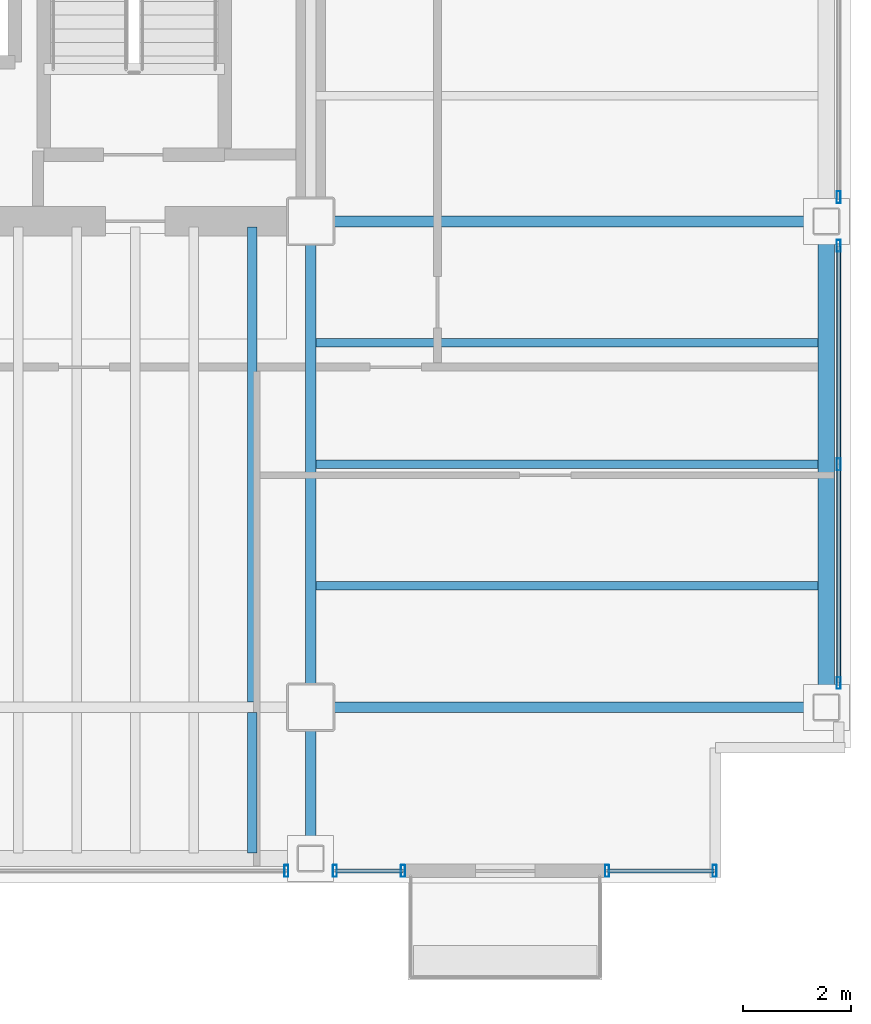
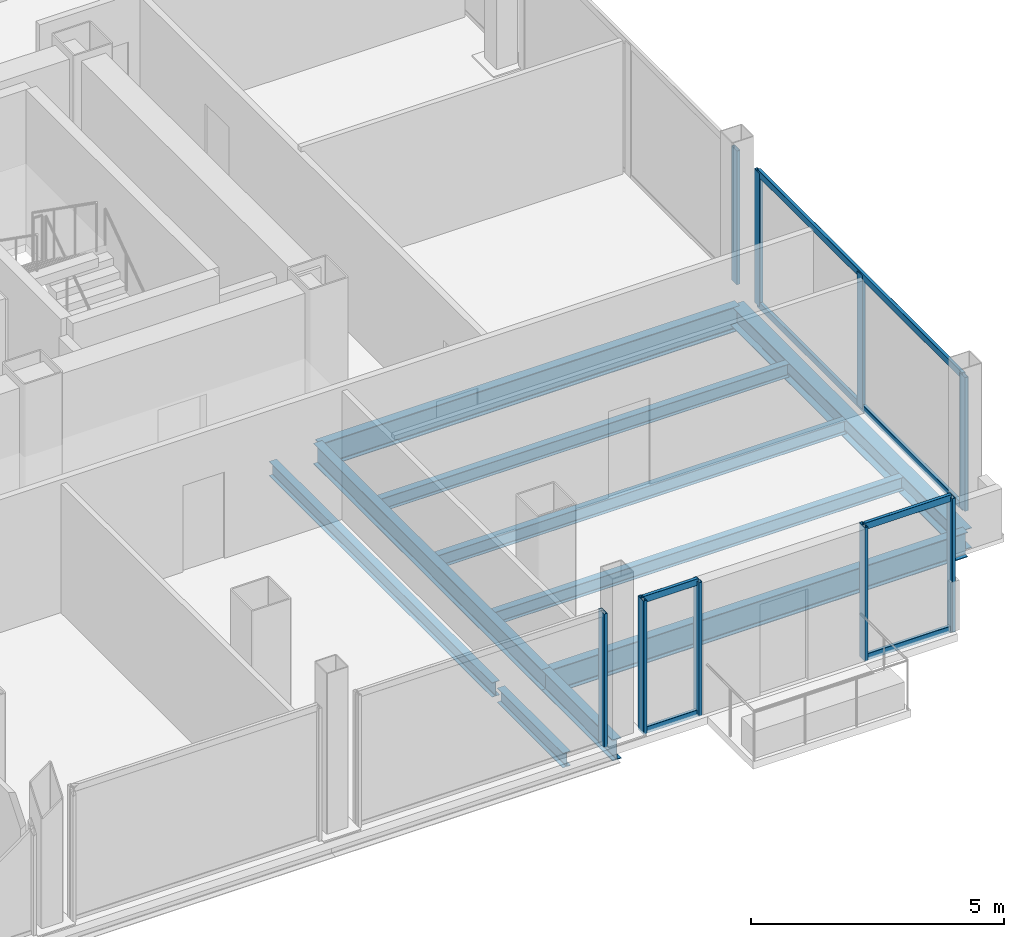
# One storey, part 10 of 16: 15 members, 10 beams, 5 elements without a shape of their own.
"""IFC4 building model written with IfcOpenShell, lengths in metres."""

from ifc_helpers import new_model, si_unit, direction, frame, origin, origin_2d, place, context, subcontext, project, spatial, hollow_rectangle, i_section, extrude, material, material_profile, profile_set, type_object, element, aggregate, save


model = new_model("IFC4")

# Units and contexts
model_context = context("Model", 3, precision=1e-05, world=origin(), true_north=direction((0.0, 1.0)))
body_context = subcontext(model_context, "Body", "Model", "MODEL_VIEW")
ifc_project = project(units=[si_unit("LENGTHUNIT", "METRE"), si_unit("AREAUNIT", "SQUARE_METRE"), si_unit("VOLUMEUNIT", "CUBIC_METRE"), si_unit("PLANEANGLEUNIT", "RADIAN"), si_unit("MASSUNIT", "GRAM", prefix="KILO")], contexts=[model_context])

# Site, building, storey
site_placement = place(None, origin())
site = spatial("IfcSite", under=ifc_project, at=site_placement, CompositionType="ELEMENT")
building_placement = place(site_placement, origin())
building = spatial("IfcBuilding", under=site, at=building_placement, Name="Noeulbin Bourse Tower", CompositionType="ELEMENT")
storey_placement = place(building_placement, frame((0.0, 0.0, 177.300048828125)))
storey = spatial("IfcBuildingStorey", under=building, at=storey_placement, Name="L44", CompositionType="ELEMENT", Elevation=177.300048828125)

# Beams
ifc_material_1 = material(Name="Steel S355", Category="steel")
ifc_material_profile_1 = material_profile(ifc_material_1, i_section(OverallWidth=0.199951171875, OverallDepth=0.5, WebThickness=0.010009765625, FlangeThickness=0.01611328125, FilletRadius=0.02001953125, at=origin_2d()), Name="H-500x200x10x16", Category="LoadBearing")
ifc_profile_set_1 = profile_set([ifc_material_profile_1], Name="Steel S355")
beam_type_1 = type_object("IfcBeamType", Name="BM-GRD-500", PredefinedType="USERDEFINED", material=ifc_profile_set_1)
beam_1_placement = place(storey_placement, frame((44.0, 17.199951171875, -0.429931640625), z_axis=(0.0, 1.0, 0.0), x_axis=(-1.0, 0.0, 0.0)))
element("IfcBeam", 1, at=beam_1_placement, inside=storey, type_object=beam_type_1, Name="Tower Primary Girder NS L44-5.1", ObjectType="GIRDER", PredefinedType="USERDEFINED", context=body_context, shape_type="SweptSolid", body=[
    extrude(i_section(OverallWidth=0.199951171875, OverallDepth=0.5, WebThickness=0.010009765625, FlangeThickness=0.01611328125, FilletRadius=0.02001953125, at=origin_2d()), origin(), (0.0, 0.0, 1.0), 2.800048828125),
])
beam_2_placement = place(storey_placement, frame((44.0, 20.0, -0.429931640625), z_axis=(0.0, 1.0, 0.0), x_axis=(-1.0, 0.0, 0.0)))
element("IfcBeam", 2, at=beam_2_placement, inside=storey, type_object=beam_type_1, Name="Tower Primary Girder NS L44-5.2", ObjectType="GIRDER", PredefinedType="USERDEFINED", context=body_context, shape_type="SweptSolid", body=[
    extrude(i_section(OverallWidth=0.199951171875, OverallDepth=0.5, WebThickness=0.010009765625, FlangeThickness=0.01611328125, FilletRadius=0.02001953125, at=origin_2d()), origin(), (0.0, 0.0, 1.0), 9.0),
])
ifc_material_profile_2 = material_profile(ifc_material_1, i_section(OverallWidth=0.199951171875, OverallDepth=0.60009765625, WebThickness=0.010986328125, FlangeThickness=0.01708984375, FilletRadius=0.02197265625, at=origin_2d()), Name="H-600x200x11x17", Category="LoadBearing")
ifc_profile_set_2 = profile_set([ifc_material_profile_2], Name="Steel S355")
beam_type_2 = type_object("IfcBeamType", Name="BM-GRD-600", PredefinedType="USERDEFINED", material=ifc_profile_set_2)
for number, where, z_axis, x_axis, name in (
    (3, (44.0, 20.0, -0.47998046875), (1.0, 0.0, 0.0), (0.0, 1.0, 0.0), "Tower Primary Girder EW L44-1.6"),
    (4, (44.0, 29.0, -0.47998046875), (1.0, 0.0, 0.0), (0.0, 1.0, 0.0), "Tower Primary Girder EW L44-2.6"),
):
    element("IfcBeam", number, at=place(storey_placement, frame(where, z_axis=z_axis, x_axis=x_axis)), inside=storey, type_object=beam_type_2, Name=name, ObjectType="GIRDER", PredefinedType="USERDEFINED", context=body_context, shape_type="SweptSolid", body=[
        extrude(i_section(OverallWidth=0.199951171875, OverallDepth=0.60009765625, WebThickness=0.010986328125, FlangeThickness=0.01708984375, FilletRadius=0.02197265625, at=origin_2d()), origin(), (0.0, 0.0, 1.0), 9.550048828125),
    ])
ifc_material_profile_3 = material_profile(ifc_material_1, i_section(OverallWidth=0.159912109375, OverallDepth=0.320068359375, WebThickness=0.006591796875, FlangeThickness=0.010009765625, FilletRadius=0.012939453125, at=origin_2d()), Name="H-320x160x6.5x10", Category="LoadBearing")
ifc_profile_set_3 = profile_set([ifc_material_profile_3], Name="Steel S355")
beam_type_3 = type_object("IfcBeamType", Name="BM-JST-320", PredefinedType="JOIST", material=ifc_profile_set_3)
for number, where, z_axis, x_axis, name in (
    (5, (44.10009765625, 22.25, -0.340087890625), (1.0, 0.0, 0.0), (0.0, 1.0, 0.0), "Wing Composite Joist L44-E73"),
    (6, (44.10009765625, 24.5, -0.340087890625), (1.0, 0.0, 0.0), (0.0, 1.0, 0.0), "Wing Composite Joist L44-E74"),
    (7, (44.10009765625, 26.75, -0.340087890625), (1.0, 0.0, 0.0), (0.0, 1.0, 0.0), "Wing Composite Joist L44-E75"),
):
    element("IfcBeam", number, at=place(storey_placement, frame(where, z_axis=z_axis, x_axis=x_axis)), inside=storey, type_object=beam_type_3, Name=name, PredefinedType="JOIST", context=body_context, shape_type="SweptSolid", body=[
        extrude(i_section(OverallWidth=0.159912109375, OverallDepth=0.320068359375, WebThickness=0.006591796875, FlangeThickness=0.010009765625, FilletRadius=0.012939453125, at=origin_2d()), origin(), (0.0, 0.0, 1.0), 9.2998046875),
    ])
ifc_material_profile_4 = material_profile(ifc_material_1, i_section(OverallWidth=0.175048828125, OverallDepth=0.35009765625, WebThickness=0.007080078125, FlangeThickness=0.010986328125, FilletRadius=0.013916015625, at=origin_2d()), Name="H-350x175x7x11", Category="LoadBearing")
ifc_profile_set_4 = profile_set([ifc_material_profile_4], Name="Steel S355")
beam_type_4 = type_object("IfcBeamType", Name="BM-JST-350", PredefinedType="JOIST", material=ifc_profile_set_4)
beam_3_placement = place(storey_placement, frame((42.916748046875, 17.300048828125, -0.35498046875), z_axis=(0.0, 1.0, 0.0), x_axis=(-1.0, 0.0, 0.0)))
element("IfcBeam", 8, at=beam_3_placement, inside=storey, type_object=beam_type_4, Name="Tower Composite Joist L44-64", PredefinedType="JOIST", context=body_context, shape_type="SweptSolid", body=[
    extrude(i_section(OverallWidth=0.175048828125, OverallDepth=0.35009765625, WebThickness=0.007080078125, FlangeThickness=0.010986328125, FilletRadius=0.013916015625, at=origin_2d()), origin(), (0.0, 0.0, 1.0), 2.599853515625),
])
beam_4_placement = place(storey_placement, frame((42.916748046875, 20.10009765625, -0.35498046875), z_axis=(0.0, 1.0, 0.0), x_axis=(-1.0, 0.0, 0.0)))
element("IfcBeam", 9, at=beam_4_placement, inside=storey, type_object=beam_type_4, Name="Tower Composite Joist L44-65", PredefinedType="JOIST", context=body_context, shape_type="SweptSolid", body=[
    extrude(i_section(OverallWidth=0.175048828125, OverallDepth=0.35009765625, WebThickness=0.007080078125, FlangeThickness=0.010986328125, FilletRadius=0.013916015625, at=origin_2d()), origin(), (0.0, 0.0, 1.0), 8.7998046875),
])
ifc_material_profile_5 = material_profile(ifc_material_1, i_section(OverallWidth=0.300048828125, OverallDepth=0.488037109375, WebThickness=0.010986328125, FlangeThickness=0.01806640625, FilletRadius=0.02197265625, at=origin_2d()), Name="H-488x300x11x18", Category="LoadBearing")
ifc_profile_set_5 = profile_set([ifc_material_profile_5], Name="Steel S355")
beam_type_5 = type_object("IfcBeamType", Name="BM-SPN-488", PredefinedType="SPANDREL", material=ifc_profile_set_5)
beam_5_placement = place(storey_placement, frame((53.550048828125, 20.0, -0.424072265625), z_axis=(0.0, 1.0, 0.0), x_axis=(-1.0, 0.0, 0.0)))
element("IfcBeam", 10, at=beam_5_placement, inside=storey, type_object=beam_type_5, Name="East Spandrel L44-1", PredefinedType="SPANDREL", context=body_context, shape_type="SweptSolid", body=[
    extrude(i_section(OverallWidth=0.300048828125, OverallDepth=0.488037109375, WebThickness=0.010986328125, FlangeThickness=0.01806640625, FilletRadius=0.02197265625, at=origin_2d()), origin(), (0.0, 0.0, 1.0), 9.0),
])

# Curtain wall, member
ifc_material_2 = material(Name="Dark Tinted Triple Glazing", Category="glass")
curtain_wall_type = type_object("IfcCurtainWallType", Name="CW-SYS-3", PredefinedType="NOTDEFINED", material=ifc_material_2)
curtain_wall_1_placement = place(storey_placement, origin())
curtain_wall_1 = element("IfcCurtainWall", 11, at=curtain_wall_1_placement, inside=storey, type_object=curtain_wall_type, Name="Unitised Curtain Wall CW-L44-S2-S3", PredefinedType="NOTDEFINED")
ifc_material_3 = material(Name="Anodised Aluminium 6063-T6", Category="aluminium")
ifc_material_profile_6 = material_profile(ifc_material_3, hollow_rectangle(XDim=0.074951171875, YDim=0.219970703125, WallThickness=0.0048828125, InnerFilletRadius=0.00244140625, OuterFilletRadius=0.0048828125, at=origin_2d()), Name="ALU-MULL-75x220x5", Category="LoadBearing")
ifc_profile_set_6 = profile_set([ifc_material_profile_6], Name="Anodised Aluminium 6063-T6")
member_type_1 = type_object("IfcMemberType", Name="CW-SYS-3-MUL", PredefinedType="MULLION", material=ifc_profile_set_6)
member_1_placement = place(storey_placement, frame((43.550048828125, 16.969970703125, -0.02001953125), z_axis=(0.0, 0.0, 1.0), x_axis=(1.0, 0.0, 0.0)))
member_1 = element("IfcMember", 12, at=member_1_placement, type_object=member_type_1, Name="Curtain Wall Mullion CW-L44-S2-S3-M01", PredefinedType="MULLION", context=body_context, shape_type="SweptSolid", body=[
    extrude(hollow_rectangle(XDim=0.074951171875, YDim=0.219970703125, WallThickness=0.0048828125, InnerFilletRadius=0.00244140625, OuterFilletRadius=0.0048828125, at=origin_2d()), origin(), (0.0, 0.0, 1.0), 3.219970703125),
])
aggregate(curtain_wall_1, [member_1])

# Curtain wall, members
curtain_wall_2_placement = place(storey_placement, origin())
curtain_wall_2 = element("IfcCurtainWall", 13, at=curtain_wall_2_placement, inside=storey, type_object=curtain_wall_type, Name="Unitised Curtain Wall CW-L44-S2-S4", PredefinedType="NOTDEFINED")
member_2_placement = place(storey_placement, frame((44.449951171875, 16.969970703125, -0.02001953125), z_axis=(0.0, 0.0, 1.0), x_axis=(1.0, 0.0, 0.0)))
member_2 = element("IfcMember", 14, at=member_2_placement, type_object=member_type_1, Name="Curtain Wall Mullion CW-L44-S2-S4-M00", PredefinedType="MULLION", context=body_context, shape_type="SweptSolid", body=[
    extrude(hollow_rectangle(XDim=0.074951171875, YDim=0.219970703125, WallThickness=0.0048828125, InnerFilletRadius=0.00244140625, OuterFilletRadius=0.0048828125, at=origin_2d()), origin(), (0.0, 0.0, 1.0), 3.219970703125),
])
member_3_placement = place(storey_placement, frame((45.7099609375, 16.969970703125, -0.02001953125), z_axis=(0.0, 0.0, 1.0), x_axis=(1.0, 0.0, 0.0)))
member_3 = element("IfcMember", 15, at=member_3_placement, type_object=member_type_1, Name="Curtain Wall Mullion CW-L44-S2-S4-M01", PredefinedType="MULLION", context=body_context, shape_type="SweptSolid", body=[
    extrude(hollow_rectangle(XDim=0.074951171875, YDim=0.219970703125, WallThickness=0.0048828125, InnerFilletRadius=0.00244140625, OuterFilletRadius=0.0048828125, at=origin_2d()), origin(), (0.0, 0.0, 1.0), 3.219970703125),
])

curtain_wall_3_placement = place(storey_placement, origin())
curtain_wall_3 = element("IfcCurtainWall", 16, at=curtain_wall_3_placement, inside=storey, type_object=curtain_wall_type, Name="Unitised Curtain Wall CW-L44-S3", PredefinedType="NOTDEFINED")
member_4_placement = place(storey_placement, frame((49.489990234375, 16.969970703125, -0.02001953125), z_axis=(0.0, 0.0, 1.0), x_axis=(1.0, 0.0, 0.0)))
member_4 = element("IfcMember", 17, at=member_4_placement, type_object=member_type_1, Name="Curtain Wall Mullion CW-L44-S3-M00", PredefinedType="MULLION", context=body_context, shape_type="SweptSolid", body=[
    extrude(hollow_rectangle(XDim=0.074951171875, YDim=0.219970703125, WallThickness=0.0048828125, InnerFilletRadius=0.00244140625, OuterFilletRadius=0.0048828125, at=origin_2d()), origin(), (0.0, 0.0, 1.0), 3.219970703125),
])
member_5_placement = place(storey_placement, frame((51.47998046875, 16.969970703125, -0.02001953125), z_axis=(0.0, 0.0, 1.0), x_axis=(1.0, 0.0, 0.0)))
member_5 = element("IfcMember", 18, at=member_5_placement, type_object=member_type_1, Name="Curtain Wall Mullion CW-L44-S3-M01", PredefinedType="MULLION", context=body_context, shape_type="SweptSolid", body=[
    extrude(hollow_rectangle(XDim=0.074951171875, YDim=0.219970703125, WallThickness=0.0048828125, InnerFilletRadius=0.00244140625, OuterFilletRadius=0.0048828125, at=origin_2d()), origin(), (0.0, 0.0, 1.0), 3.219970703125),
])

curtain_wall_4_placement = place(storey_placement, origin())
curtain_wall_4 = element("IfcCurtainWall", 19, at=curtain_wall_4_placement, inside=storey, type_object=curtain_wall_type, Name="Unitised Curtain Wall CW-L44-E-S1", PredefinedType="NOTDEFINED")
member_6_placement = place(storey_placement, frame((53.780029296875, 20.449951171875, -0.02001953125), z_axis=(0.0, 0.0, 1.0), x_axis=(1.0, 0.0, 0.0)))
member_6 = element("IfcMember", 20, at=member_6_placement, type_object=member_type_1, Name="Curtain Wall Mullion CW-L44-E-S1-M00", PredefinedType="MULLION", context=body_context, shape_type="SweptSolid", body=[
    extrude(hollow_rectangle(XDim=0.074951171875, YDim=0.219970703125, WallThickness=0.0048828125, InnerFilletRadius=0.00244140625, OuterFilletRadius=0.0048828125, at=origin_2d()), origin(), (0.0, 0.0, 1.0), 3.219970703125),
])
member_7_placement = place(storey_placement, frame((53.780029296875, 24.5, -0.02001953125), z_axis=(0.0, 0.0, 1.0), x_axis=(1.0, 0.0, 0.0)))
member_7 = element("IfcMember", 21, at=member_7_placement, type_object=member_type_1, Name="Curtain Wall Mullion CW-L44-E-S1-M01", PredefinedType="MULLION", context=body_context, shape_type="SweptSolid", body=[
    extrude(hollow_rectangle(XDim=0.074951171875, YDim=0.219970703125, WallThickness=0.0048828125, InnerFilletRadius=0.00244140625, OuterFilletRadius=0.0048828125, at=origin_2d()), origin(), (0.0, 0.0, 1.0), 3.219970703125),
])
member_8_placement = place(storey_placement, frame((53.780029296875, 28.550048828125, -0.02001953125), z_axis=(0.0, 0.0, 1.0), x_axis=(1.0, 0.0, 0.0)))
member_8 = element("IfcMember", 22, at=member_8_placement, type_object=member_type_1, Name="Curtain Wall Mullion CW-L44-E-S1-M02", PredefinedType="MULLION", context=body_context, shape_type="SweptSolid", body=[
    extrude(hollow_rectangle(XDim=0.074951171875, YDim=0.219970703125, WallThickness=0.0048828125, InnerFilletRadius=0.00244140625, OuterFilletRadius=0.0048828125, at=origin_2d()), origin(), (0.0, 0.0, 1.0), 3.219970703125),
])

# Curtain wall, member
curtain_wall_5_placement = place(storey_placement, origin())
curtain_wall_5 = element("IfcCurtainWall", 23, at=curtain_wall_5_placement, inside=storey, type_object=curtain_wall_type, Name="Unitised Curtain Wall CW-L44-E-S2", PredefinedType="NOTDEFINED")
member_9_placement = place(storey_placement, frame((53.780029296875, 29.449951171875, -0.02001953125), z_axis=(0.0, 0.0, 1.0), x_axis=(1.0, 0.0, 0.0)))
member_9 = element("IfcMember", 24, at=member_9_placement, type_object=member_type_1, Name="Curtain Wall Mullion CW-L44-E-S2-M00", PredefinedType="MULLION", context=body_context, shape_type="SweptSolid", body=[
    extrude(hollow_rectangle(XDim=0.074951171875, YDim=0.219970703125, WallThickness=0.0048828125, InnerFilletRadius=0.00244140625, OuterFilletRadius=0.0048828125, at=origin_2d()), origin(), (0.0, 0.0, 1.0), 3.219970703125),
])
aggregate(curtain_wall_5, [member_9])

# Member
ifc_material_profile_7 = material_profile(ifc_material_3, hollow_rectangle(XDim=0.074951171875, YDim=0.159912109375, WallThickness=0.0048828125, InnerFilletRadius=0.00244140625, OuterFilletRadius=0.0048828125, at=origin_2d()), Name="ALU-TRAN-75x160x5", Category="LoadBearing")
ifc_profile_set_7 = profile_set([ifc_material_profile_7], Name="Anodised Aluminium 6063-T6")
member_type_2 = type_object("IfcMemberType", Name="CW-SYS-3-TRN", PredefinedType="USERDEFINED", material=ifc_profile_set_7)
member_10_placement = place(storey_placement, frame((44.4599609375, 16.969970703125, 0.010009765625), z_axis=(1.0, 0.0, 0.0), x_axis=(0.0, 1.0, 0.0)))
member_10 = element("IfcMember", 25, at=member_10_placement, type_object=member_type_2, Name="Curtain Wall Transom CW-L44-S2-S4-T00", ObjectType="TRANSOM", PredefinedType="USERDEFINED", context=body_context, shape_type="SweptSolid", body=[
    extrude(hollow_rectangle(XDim=0.074951171875, YDim=0.159912109375, WallThickness=0.0048828125, InnerFilletRadius=0.00244140625, OuterFilletRadius=0.0048828125, at=origin_2d()), origin(), (0.0, 0.0, 1.0), 1.239990234375),
])

member_11_placement = place(storey_placement, frame((44.4599609375, 16.969970703125, 3.169921875), z_axis=(1.0, 0.0, 0.0), x_axis=(0.0, 1.0, 0.0)))
member_11 = element("IfcMember", 26, at=member_11_placement, type_object=member_type_2, Name="Curtain Wall Transom CW-L44-S2-S4-T01", ObjectType="TRANSOM", PredefinedType="USERDEFINED", context=body_context, shape_type="SweptSolid", body=[
    extrude(hollow_rectangle(XDim=0.074951171875, YDim=0.159912109375, WallThickness=0.0048828125, InnerFilletRadius=0.00244140625, OuterFilletRadius=0.0048828125, at=origin_2d()), origin(), (0.0, 0.0, 1.0), 1.239990234375),
])

aggregate(curtain_wall_2, [member_2, member_3, member_10, member_11])

member_12_placement = place(storey_placement, frame((49.5, 16.969970703125, 0.010009765625), z_axis=(1.0, 0.0, 0.0), x_axis=(0.0, 1.0, 0.0)))
member_12 = element("IfcMember", 27, at=member_12_placement, type_object=member_type_2, Name="Curtain Wall Transom CW-L44-S3-T00", ObjectType="TRANSOM", PredefinedType="USERDEFINED", context=body_context, shape_type="SweptSolid", body=[
    extrude(hollow_rectangle(XDim=0.074951171875, YDim=0.159912109375, WallThickness=0.0048828125, InnerFilletRadius=0.00244140625, OuterFilletRadius=0.0048828125, at=origin_2d()), origin(), (0.0, 0.0, 1.0), 1.969970703125),
])

member_13_placement = place(storey_placement, frame((49.5, 16.969970703125, 3.169921875), z_axis=(1.0, 0.0, 0.0), x_axis=(0.0, 1.0, 0.0)))
member_13 = element("IfcMember", 28, at=member_13_placement, type_object=member_type_2, Name="Curtain Wall Transom CW-L44-S3-T01", ObjectType="TRANSOM", PredefinedType="USERDEFINED", context=body_context, shape_type="SweptSolid", body=[
    extrude(hollow_rectangle(XDim=0.074951171875, YDim=0.159912109375, WallThickness=0.0048828125, InnerFilletRadius=0.00244140625, OuterFilletRadius=0.0048828125, at=origin_2d()), origin(), (0.0, 0.0, 1.0), 1.969970703125),
])

aggregate(curtain_wall_3, [member_4, member_5, member_12, member_13])

member_14_placement = place(storey_placement, frame((53.780029296875, 20.4599609375, 0.010009765625), z_axis=(0.0, 1.0, 0.0), x_axis=(-1.0, 0.0, 0.0)))
member_14 = element("IfcMember", 29, at=member_14_placement, type_object=member_type_2, Name="Curtain Wall Transom CW-L44-E-S1-T00", ObjectType="TRANSOM", PredefinedType="USERDEFINED", context=body_context, shape_type="SweptSolid", body=[
    extrude(hollow_rectangle(XDim=0.074951171875, YDim=0.159912109375, WallThickness=0.0048828125, InnerFilletRadius=0.00244140625, OuterFilletRadius=0.0048828125, at=origin_2d()), origin(), (0.0, 0.0, 1.0), 8.080078125),
])

member_15_placement = place(storey_placement, frame((53.780029296875, 20.4599609375, 3.169921875), z_axis=(0.0, 1.0, 0.0), x_axis=(-1.0, 0.0, 0.0)))
member_15 = element("IfcMember", 30, at=member_15_placement, type_object=member_type_2, Name="Curtain Wall Transom CW-L44-E-S1-T01", ObjectType="TRANSOM", PredefinedType="USERDEFINED", context=body_context, shape_type="SweptSolid", body=[
    extrude(hollow_rectangle(XDim=0.074951171875, YDim=0.159912109375, WallThickness=0.0048828125, InnerFilletRadius=0.00244140625, OuterFilletRadius=0.0048828125, at=origin_2d()), origin(), (0.0, 0.0, 1.0), 8.080078125),
])

aggregate(curtain_wall_4, [member_6, member_7, member_8, member_14, member_15])

save(model, "model.ifc")
